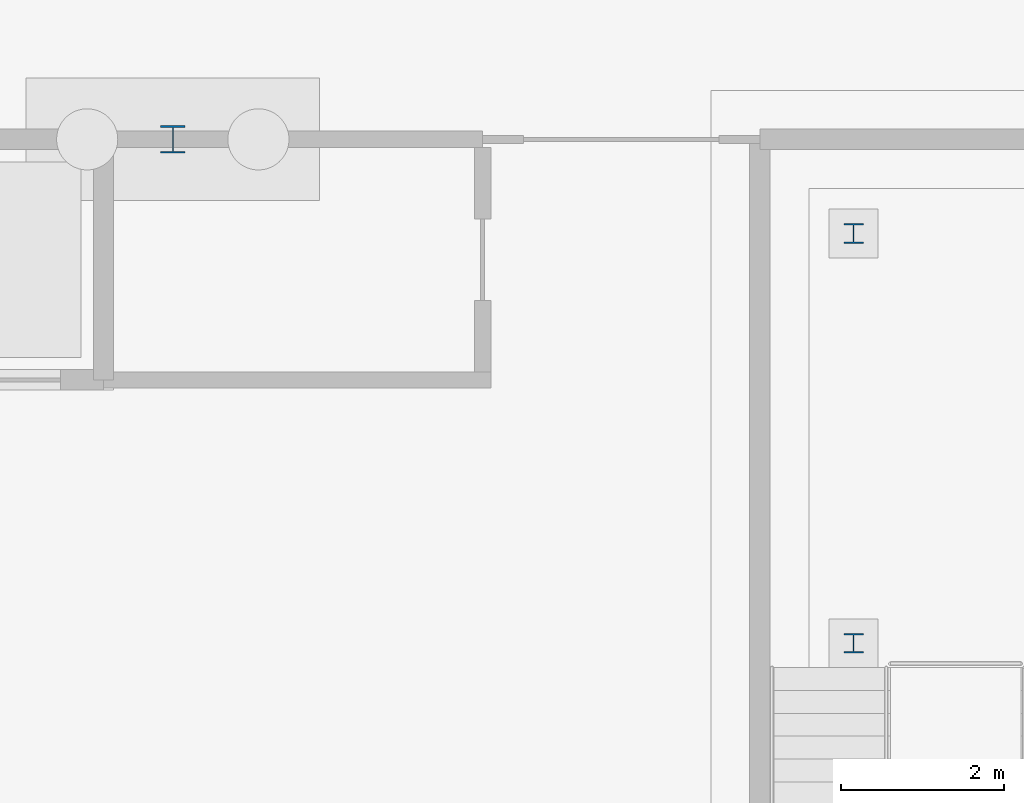
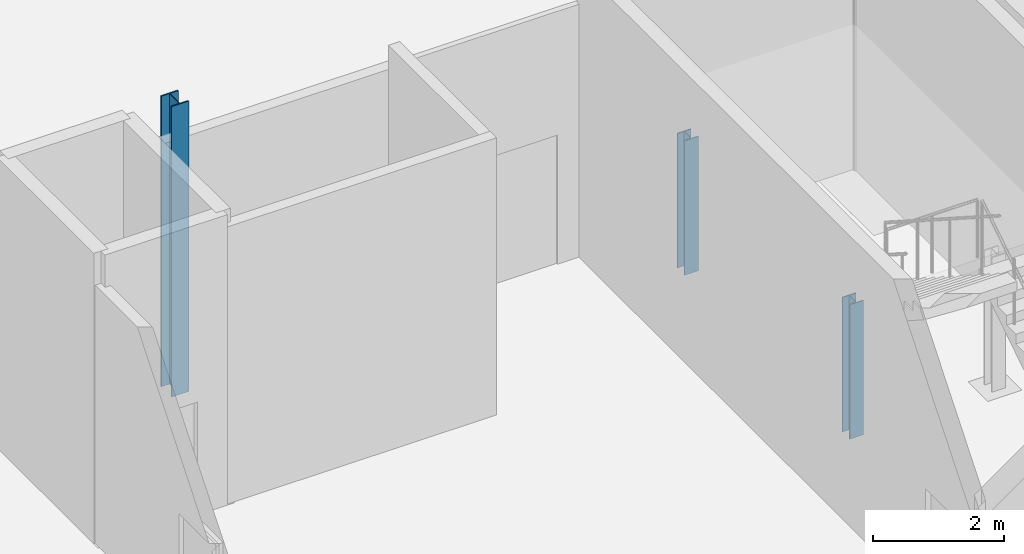
# One storey, part 45 of 132: 3 columns.
"""IFC4 building model written with IfcOpenShell, lengths in metres."""

from ifc_helpers import new_model, si_unit, direction, frame, origin, origin_2d, place, context, subcontext, project, spatial, i_section, extrude, material, material_profile, profile_set, type_object, element, save


model = new_model("IFC4")

# Units and contexts
model_context = context("Model", 3, precision=1e-05, world=origin(), true_north=direction((0.0, 1.0)))
body_context = subcontext(model_context, "Body", "Model", "MODEL_VIEW")
ifc_project = project(units=[si_unit("LENGTHUNIT", "METRE"), si_unit("AREAUNIT", "SQUARE_METRE"), si_unit("VOLUMEUNIT", "CUBIC_METRE"), si_unit("PLANEANGLEUNIT", "RADIAN"), si_unit("MASSUNIT", "GRAM", prefix="KILO")], contexts=[model_context])

# Site, building, storey
site_placement = place(None, origin())
site = spatial("IfcSite", under=ifc_project, at=site_placement, CompositionType="ELEMENT")
building_placement = place(site_placement, origin())
building = spatial("IfcBuilding", under=site, at=building_placement, Name="Ravi Spectrum Wholesale Market", CompositionType="ELEMENT")
storey_placement = place(building_placement, origin())
storey = spatial("IfcBuildingStorey", under=building, at=storey_placement, Name="L00", CompositionType="ELEMENT", Elevation=0.0)

# Columns
ifc_material_1 = material(Name="Steel S355", Category="steel")
ifc_material_profile_1 = material_profile(ifc_material_1, i_section(OverallWidth=0.239990234375, OverallDepth=0.239990234375, WebThickness=0.010009765625, FlangeThickness=0.01708984375, at=origin_2d()))
ifc_profile_set_1 = profile_set([ifc_material_profile_1], Name="Steel S355")
column_type_1 = type_object("IfcColumnType", Name="HEB 240 column", PredefinedType="COLUMN", material=ifc_profile_set_1)
for number, where, z_axis, x_axis, name in (
    (1, (194.35009765625, 203.820068359375, 0.0), (0.0, 0.0, 1.0), (1.0, 0.0, 0.0), "AU-COL-L00-015"),
    (2, (194.35009765625, 208.845947265625, 0.0), (0.0, 0.0, 1.0), (1.0, 0.0, 0.0), "AU-COL-L00-016"),
):
    element("IfcColumn", number, at=place(storey_placement, frame(where, z_axis=z_axis, x_axis=x_axis)), inside=storey, type_object=column_type_1, Name=name, PredefinedType="COLUMN", context=body_context, shape_type="SweptSolid", body=[
        extrude(i_section(OverallWidth=0.239990234375, OverallDepth=0.239990234375, WebThickness=0.010009765625, FlangeThickness=0.01708984375, at=origin_2d()), origin(), (0.0, 0.0, 1.0), 2.5),
    ])
ifc_material_2 = material(Name="Steel S355", Category="steel")
ifc_material_profile_2 = material_profile(ifc_material_2, i_section(OverallWidth=0.300048828125, OverallDepth=0.340087890625, WebThickness=0.011962890625, FlangeThickness=0.021484375, at=origin_2d()))
ifc_profile_set_2 = profile_set([ifc_material_profile_2], Name="Steel S355")
column_type_2 = type_object("IfcColumnType", Name="HEB 340 column", PredefinedType="COLUMN", material=ifc_profile_set_2)
column_placement = place(storey_placement, frame((186.0, 210.0, 0.0), z_axis=(0.0, 0.0, 1.0), x_axis=(1.0, 0.0, 0.0)))
element("IfcColumn", 3, at=column_placement, inside=storey, type_object=column_type_2, Name="AU-COL-L00-009", PredefinedType="COLUMN", context=body_context, shape_type="SweptSolid", body=[
    extrude(i_section(OverallWidth=0.300048828125, OverallDepth=0.340087890625, WebThickness=0.011962890625, FlangeThickness=0.021484375, at=origin_2d()), origin(), (0.0, 0.0, 1.0), 5.39990234375),
])

save(model, "model.ifc")
